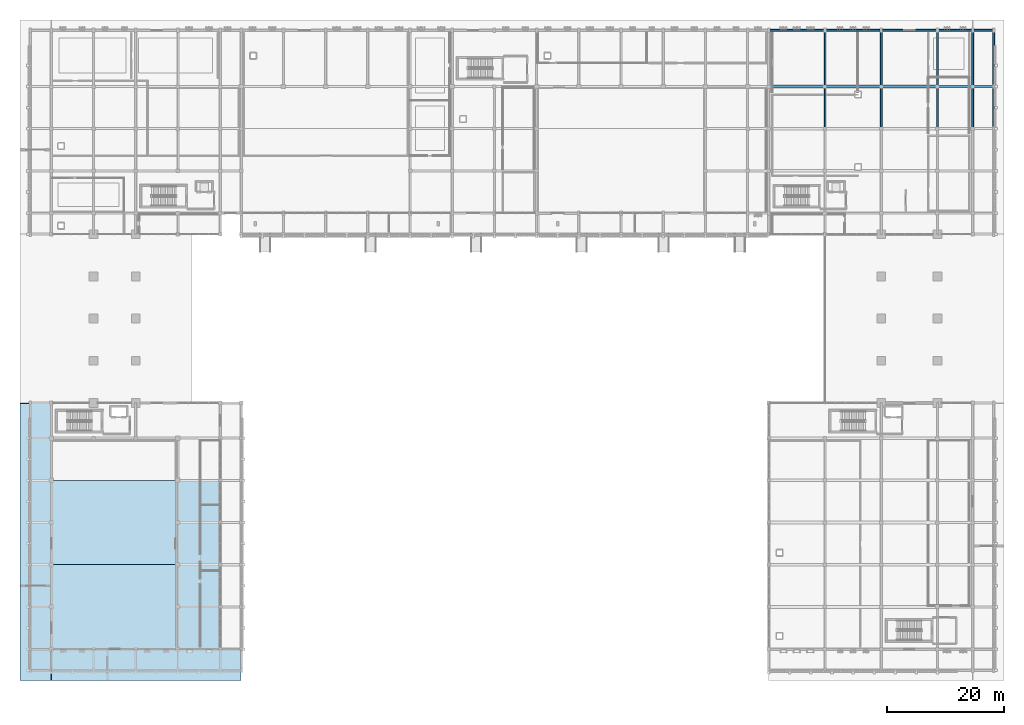
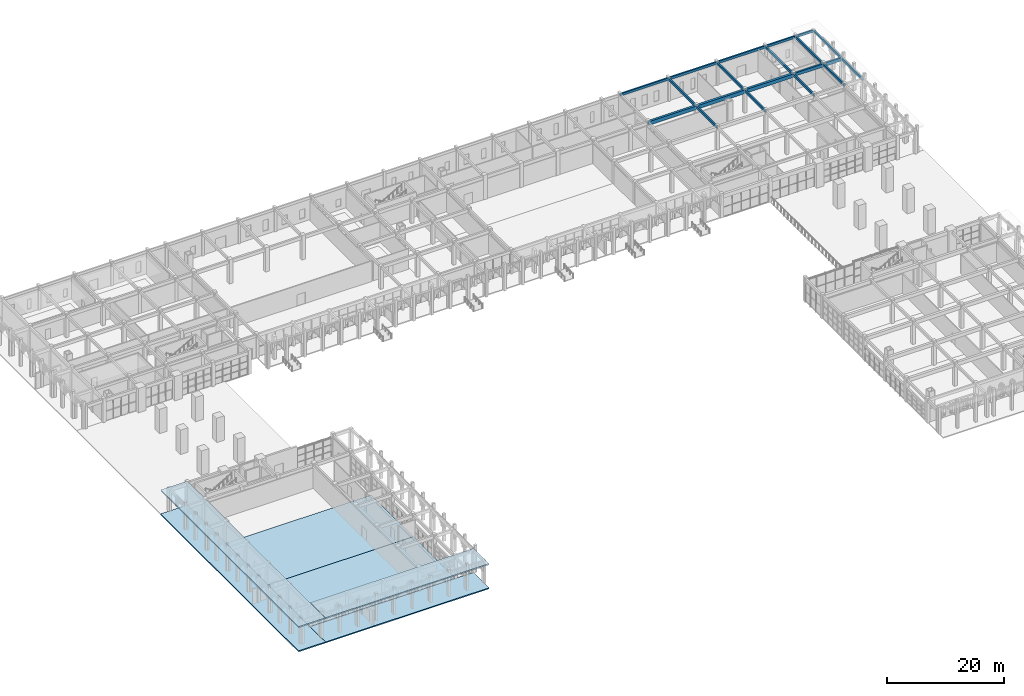
# One storey, part 25 of 72: 20 beams, 6 slabs.
"""IFC4 building model written with IfcOpenShell, lengths in metres."""

from ifc_helpers import new_model, si_unit, direction, frame, origin, origin_2d, place, context, subcontext, project, spatial, polyline, rectangle, outline, extrude, material, layer, layer_set, material_profile, profile_set, type_object, element, save


model = new_model("IFC4")

# Units and contexts
model_context = context("Model", 3, precision=1e-05, world=origin(), true_north=direction((0.0, 1.0)))
body_context = subcontext(model_context, "Body", "Model", "MODEL_VIEW")
ifc_project = project(units=[si_unit("LENGTHUNIT", "METRE"), si_unit("AREAUNIT", "SQUARE_METRE"), si_unit("VOLUMEUNIT", "CUBIC_METRE"), si_unit("PLANEANGLEUNIT", "RADIAN"), si_unit("MASSUNIT", "GRAM", prefix="KILO")], contexts=[model_context])

# Site, building, storey
site_placement = place(None, origin())
site = spatial("IfcSite", under=ifc_project, at=site_placement, CompositionType="ELEMENT")
building_placement = place(site_placement, origin())
building = spatial("IfcBuilding", under=site, at=building_placement, Name="Nzembalo Square Collegiate School", CompositionType="ELEMENT")
storey_placement = place(building_placement, origin())
storey = spatial("IfcBuildingStorey", under=building, at=storey_placement, Name="L00", CompositionType="ELEMENT", Elevation=0.0)

# Beams
ifc_material_1 = material(Name="Concrete C35/45", Category="concrete")
ifc_material_profile_1 = material_profile(ifc_material_1, rectangle(XDim=0.35009765625, YDim=0.64990234375, at=origin_2d()), Name="RC 350x650")
ifc_profile_set_1 = profile_set([ifc_material_profile_1], Name="Concrete C35/45")
beam_type_1 = type_object("IfcBeamType", Name="B01", PredefinedType="BEAM", material=ifc_profile_set_1)
beam_1_placement = place(storey_placement, frame((159.60009765625, 104.39990234375, 4.465087890625), z_axis=(1.0, 0.0, 0.0), x_axis=(0.0, 1.0, 0.0)))
element("IfcBeam", 1, at=beam_1_placement, inside=storey, type_object=beam_type_1, Name="Beam B01 L00", PredefinedType="BEAM", context=body_context, shape_type="SweptSolid", body=[
    extrude(rectangle(XDim=0.35009765625, YDim=0.64990234375, at=origin_2d()), origin(), (0.0, 0.0, 1.0), 6.0),
])
beam_2_placement = place(storey_placement, frame((165.60009765625, 104.39990234375, 4.465087890625), z_axis=(1.0, 0.0, 0.0), x_axis=(0.0, 1.0, 0.0)))
element("IfcBeam", 2, at=beam_2_placement, inside=storey, type_object=beam_type_1, Name="Beam B01 L00", PredefinedType="BEAM", context=body_context, shape_type="SweptSolid", body=[
    extrude(rectangle(XDim=0.35009765625, YDim=0.64990234375, at=origin_2d()), origin(), (0.0, 0.0, 1.0), 3.599853515625),
])
ifc_material_2 = material(Name="Concrete C35/45", Category="concrete")
ifc_material_profile_2 = material_profile(ifc_material_2, rectangle(XDim=0.300048828125, YDim=0.5, at=origin_2d()), Name="RC 300x500")
ifc_profile_set_2 = profile_set([ifc_material_profile_2], Name="Concrete C35/45")
beam_type_2 = type_object("IfcBeamType", Name="B02", PredefinedType="BEAM", material=ifc_profile_set_2)
beam_3_placement = place(storey_placement, frame((140.39990234375, 97.199951171875, 4.5400390625), z_axis=(0.0, 1.0, 0.0), x_axis=(-1.0, 0.0, 0.0)))
element("IfcBeam", 3, at=beam_3_placement, inside=storey, type_object=beam_type_2, Name="Beam B02 L00", PredefinedType="BEAM", context=body_context, shape_type="SweptSolid", body=[
    extrude(rectangle(XDim=0.300048828125, YDim=0.5, at=origin_2d()), origin(), (0.0, 0.0, 1.0), 7.199951171875),
])
beam_4_placement = place(storey_placement, frame((140.39990234375, 104.39990234375, 4.5400390625), z_axis=(0.0, 1.0, 0.0), x_axis=(-1.0, 0.0, 0.0)))
element("IfcBeam", 4, at=beam_4_placement, inside=storey, type_object=beam_type_2, Name="Beam B02 L00", PredefinedType="BEAM", context=body_context, shape_type="SweptSolid", body=[
    extrude(rectangle(XDim=0.300048828125, YDim=0.5, at=origin_2d()), origin(), (0.0, 0.0, 1.0), 9.60009765625),
])
beam_5_placement = place(storey_placement, frame((150.0, 97.199951171875, 4.5400390625), z_axis=(0.0, 1.0, 0.0), x_axis=(-1.0, 0.0, 0.0)))
element("IfcBeam", 5, at=beam_5_placement, inside=storey, type_object=beam_type_2, Name="Beam B02 L00", PredefinedType="BEAM", context=body_context, shape_type="SweptSolid", body=[
    extrude(rectangle(XDim=0.300048828125, YDim=0.5, at=origin_2d()), origin(), (0.0, 0.0, 1.0), 7.199951171875),
])
beam_6_placement = place(storey_placement, frame((150.0, 104.39990234375, 4.5400390625), z_axis=(0.0, 1.0, 0.0), x_axis=(-1.0, 0.0, 0.0)))
element("IfcBeam", 6, at=beam_6_placement, inside=storey, type_object=beam_type_2, Name="Beam B02 L00", PredefinedType="BEAM", context=body_context, shape_type="SweptSolid", body=[
    extrude(rectangle(XDim=0.300048828125, YDim=0.5, at=origin_2d()), origin(), (0.0, 0.0, 1.0), 9.60009765625),
])
beam_7_placement = place(storey_placement, frame((159.60009765625, 97.199951171875, 4.5400390625), z_axis=(0.0, 1.0, 0.0), x_axis=(-1.0, 0.0, 0.0)))
element("IfcBeam", 7, at=beam_7_placement, inside=storey, type_object=beam_type_2, Name="Beam B02 L00", PredefinedType="BEAM", context=body_context, shape_type="SweptSolid", body=[
    extrude(rectangle(XDim=0.300048828125, YDim=0.5, at=origin_2d()), origin(), (0.0, 0.0, 1.0), 7.199951171875),
])
beam_8_placement = place(storey_placement, frame((159.60009765625, 104.39990234375, 4.5400390625), z_axis=(0.0, 1.0, 0.0), x_axis=(-1.0, 0.0, 0.0)))
element("IfcBeam", 8, at=beam_8_placement, inside=storey, type_object=beam_type_2, Name="Beam B02 L00", PredefinedType="BEAM", context=body_context, shape_type="SweptSolid", body=[
    extrude(rectangle(XDim=0.300048828125, YDim=0.5, at=origin_2d()), origin(), (0.0, 0.0, 1.0), 9.60009765625),
])
ifc_material_3 = material(Name="Concrete C35/45", Category="concrete")
ifc_material_profile_3 = material_profile(ifc_material_3, rectangle(XDim=0.300048828125, YDim=0.5, at=origin_2d()), Name="RC 300x500")
ifc_profile_set_3 = profile_set([ifc_material_profile_3], Name="Concrete C35/45")
beam_type_3 = type_object("IfcBeamType", Name="SP01", PredefinedType="SPANDREL", material=ifc_profile_set_3)
beam_9_placement = place(storey_placement, frame((130.800048828125, 114.0, 4.5400390625), z_axis=(1.0, 0.0, 0.0), x_axis=(0.0, 1.0, 0.0)))
element("IfcBeam", 9, at=beam_9_placement, inside=storey, type_object=beam_type_3, Name="Beam SP01 L00", PredefinedType="SPANDREL", context=body_context, shape_type="SweptSolid", body=[
    extrude(rectangle(XDim=0.300048828125, YDim=0.5, at=origin_2d()), origin(), (0.0, 0.0, 1.0), 9.599853515625),
])
for number, where, z_axis, x_axis, name in (
    (10, (140.39990234375, 114.0, 4.5400390625), (1.0, 0.0, 0.0), (0.0, 1.0, 0.0), "Beam SP01 L00"),
    (11, (150.0, 114.0, 4.5400390625), (1.0, 0.0, 0.0), (0.0, 1.0, 0.0), "Beam SP01 L00"),
):
    element("IfcBeam", number, at=place(storey_placement, frame(where, z_axis=z_axis, x_axis=x_axis)), inside=storey, type_object=beam_type_3, Name=name, PredefinedType="SPANDREL", context=body_context, shape_type="SweptSolid", body=[
        extrude(rectangle(XDim=0.300048828125, YDim=0.5, at=origin_2d()), origin(), (0.0, 0.0, 1.0), 9.60009765625),
    ])
beam_10_placement = place(storey_placement, frame((159.60009765625, 114.0, 4.5400390625), z_axis=(1.0, 0.0, 0.0), x_axis=(0.0, 1.0, 0.0)))
element("IfcBeam", 12, at=beam_10_placement, inside=storey, type_object=beam_type_3, Name="Beam SP01 L00", PredefinedType="SPANDREL", context=body_context, shape_type="SweptSolid", body=[
    extrude(rectangle(XDim=0.300048828125, YDim=0.5, at=origin_2d()), origin(), (0.0, 0.0, 1.0), 6.0),
])
beam_11_placement = place(storey_placement, frame((165.60009765625, 114.0, 4.5400390625), z_axis=(1.0, 0.0, 0.0), x_axis=(0.0, 1.0, 0.0)))
element("IfcBeam", 13, at=beam_11_placement, inside=storey, type_object=beam_type_3, Name="Beam SP01 L00", PredefinedType="SPANDREL", context=body_context, shape_type="SweptSolid", body=[
    extrude(rectangle(XDim=0.300048828125, YDim=0.5, at=origin_2d()), origin(), (0.0, 0.0, 1.0), 3.599853515625),
])
beam_12_placement = place(storey_placement, frame((165.60009765625, 97.199951171875, 4.5400390625), z_axis=(0.0, 1.0, 0.0), x_axis=(-1.0, 0.0, 0.0)))
element("IfcBeam", 14, at=beam_12_placement, inside=storey, type_object=beam_type_3, Name="Beam SP01 L00", PredefinedType="SPANDREL", context=body_context, shape_type="SweptSolid", body=[
    extrude(rectangle(XDim=0.300048828125, YDim=0.5, at=origin_2d()), origin(), (0.0, 0.0, 1.0), 7.199951171875),
])
beam_13_placement = place(storey_placement, frame((165.60009765625, 104.39990234375, 4.5400390625), z_axis=(0.0, 1.0, 0.0), x_axis=(-1.0, 0.0, 0.0)))
element("IfcBeam", 15, at=beam_13_placement, inside=storey, type_object=beam_type_3, Name="Beam SP01 L00", PredefinedType="SPANDREL", context=body_context, shape_type="SweptSolid", body=[
    extrude(rectangle(XDim=0.300048828125, YDim=0.5, at=origin_2d()), origin(), (0.0, 0.0, 1.0), 9.60009765625),
])
beam_14_placement = place(storey_placement, frame((169.199951171875, 97.199951171875, 4.5400390625), z_axis=(0.0, 1.0, 0.0), x_axis=(-1.0, 0.0, 0.0)))
element("IfcBeam", 16, at=beam_14_placement, inside=storey, type_object=beam_type_3, Name="Beam SP01 L00", PredefinedType="SPANDREL", context=body_context, shape_type="SweptSolid", body=[
    extrude(rectangle(XDim=0.300048828125, YDim=0.5, at=origin_2d()), origin(), (0.0, 0.0, 1.0), 7.199951171875),
])
beam_15_placement = place(storey_placement, frame((169.199951171875, 104.39990234375, 4.5400390625), z_axis=(0.0, 1.0, 0.0), x_axis=(-1.0, 0.0, 0.0)))
element("IfcBeam", 17, at=beam_15_placement, inside=storey, type_object=beam_type_3, Name="Beam SP01 L00", PredefinedType="SPANDREL", context=body_context, shape_type="SweptSolid", body=[
    extrude(rectangle(XDim=0.300048828125, YDim=0.5, at=origin_2d()), origin(), (0.0, 0.0, 1.0), 9.60009765625),
])
ifc_material_4 = material(Name="Concrete C35/45", Category="concrete")
ifc_material_profile_4 = material_profile(ifc_material_4, rectangle(XDim=0.449951171875, YDim=0.75, at=origin_2d()), Name="RC 450x750")
ifc_profile_set_4 = profile_set([ifc_material_profile_4], Name="Concrete C35/45")
beam_type_4 = type_object("IfcBeamType", Name="TG01", PredefinedType="BEAM", material=ifc_profile_set_4)
beam_16_placement = place(storey_placement, frame((130.800048828125, 104.39990234375, 4.4150390625), z_axis=(1.0, 0.0, 0.0), x_axis=(0.0, 1.0, 0.0)))
element("IfcBeam", 18, at=beam_16_placement, inside=storey, type_object=beam_type_4, Name="Beam TG01 L00", PredefinedType="BEAM", context=body_context, shape_type="SweptSolid", body=[
    extrude(rectangle(XDim=0.449951171875, YDim=0.75, at=origin_2d()), origin(), (0.0, 0.0, 1.0), 9.599853515625),
])
for number, where, z_axis, x_axis, name in (
    (19, (140.39990234375, 104.39990234375, 4.4150390625), (1.0, 0.0, 0.0), (0.0, 1.0, 0.0), "Beam TG01 L00"),
    (20, (150.0, 104.39990234375, 4.4150390625), (1.0, 0.0, 0.0), (0.0, 1.0, 0.0), "Beam TG01 L00"),
):
    element("IfcBeam", number, at=place(storey_placement, frame(where, z_axis=z_axis, x_axis=x_axis)), inside=storey, type_object=beam_type_4, Name=name, PredefinedType="BEAM", context=body_context, shape_type="SweptSolid", body=[
        extrude(rectangle(XDim=0.449951171875, YDim=0.75, at=origin_2d()), origin(), (0.0, 0.0, 1.0), 9.60009765625),
    ])

# Slabs
ifc_material_5 = material(Name="CLT CL24", Category="wood")
ifc_layer_1 = layer(ifc_material_5, 0.27001953125, Name="CLT CL24")
ifc_layer_set_1 = layer_set([ifc_layer_1], Name="CLT CL24")
slab_type_1 = type_object("IfcSlabType", Name="RS-F27", PredefinedType="ROOF", material=ifc_layer_set_1)
slab_1_placement = place(storey_placement, frame((0.0, 0.0, 4.800048828125)))
element("IfcSlab", 21, at=slab_1_placement, inside=storey, type_object=slab_type_1, Name="Step roof slab RS-ARC-WS", PredefinedType="ROOF", context=body_context, shape_type="SweptSolid", body=[
    extrude(outline(polyline([(3.06005859375, 3.06005859375), (8.340087890625, 3.06005859375), (8.340087890625, 50.340087890625), (3.06005859375, 50.340087890625), (3.06005859375, 3.06005859375)])), origin(), (0.0, 0.0, 1.0), 0.27001953125),
])
slab_2_placement = place(storey_placement, frame((0.0, 0.0, 4.800048828125)))
element("IfcSlab", 22, at=slab_2_placement, inside=storey, type_object=slab_type_1, Name="Step roof slab RS-ARC-SW", PredefinedType="ROOF", context=body_context, shape_type="SweptSolid", body=[
    extrude(outline(polyline([(8.39990234375, 3.06005859375), (40.800048828125, 3.06005859375), (40.800048828125, 8.340087890625), (8.39990234375, 8.340087890625), (8.39990234375, 3.06005859375)])), origin(), (0.0, 0.0, 1.0), 0.27001953125),
])
ifc_material_6 = material(Name="Concrete C35/45", Category="concrete")
ifc_layer_2 = layer(ifc_material_6, 0.219970703125, Name="Concrete C35/45")
ifc_layer_set_2 = layer_set([ifc_layer_2], Name="Concrete C35/45")
slab_type_2 = type_object("IfcSlabType", Name="SL-00E", PredefinedType="FLOOR", material=ifc_layer_set_2)
slab_3_placement = place(storey_placement, frame((0.0, 0.0, -0.219970703125)))
element("IfcSlab", 23, at=slab_3_placement, inside=storey, type_object=slab_type_2, Name="Slab SL-L00-24", PredefinedType="FLOOR", context=body_context, shape_type="SweptSolid", body=[
    extrude(outline(polyline([(3.050048828125, 3.050048828125), (8.39990234375, 3.050048828125), (8.39990234375, 50.39990234375), (3.050048828125, 50.39990234375), (3.050048828125, 3.050048828125)])), origin(), (0.0, 0.0, 1.0), 0.219970703125),
])
slab_4_placement = place(storey_placement, frame((0.0, 0.0, -0.219970703125)))
element("IfcSlab", 24, at=slab_4_placement, inside=storey, type_object=slab_type_2, Name="Slab SL-L00-26", PredefinedType="FLOOR", context=body_context, shape_type="SweptSolid", body=[
    extrude(outline(polyline([(8.39990234375, 3.050048828125), (40.800048828125, 3.050048828125), (40.800048828125, 8.39990234375), (8.39990234375, 8.39990234375), (8.39990234375, 3.050048828125)])), origin(), (0.0, 0.0, 1.0), 0.219970703125),
])
ifc_material_7 = material(Name="Concrete C35/45", Category="concrete")
ifc_layer_3 = layer(ifc_material_7, 0.280029296875, Name="Concrete C35/45")
ifc_layer_set_3 = layer_set([ifc_layer_3], Name="Concrete C35/45")
slab_type_3 = type_object("IfcSlabType", Name="SL-00", PredefinedType="FLOOR", material=ifc_layer_set_3)
slab_5_placement = place(storey_placement, frame((0.0, 0.0, -0.280029296875)))
element("IfcSlab", 25, at=slab_5_placement, inside=storey, type_object=slab_type_3, Name="Slab SL-L00-06", PredefinedType="FLOOR", context=body_context, shape_type="SweptSolid", body=[
    extrude(outline(polyline([(8.39990234375, 8.39990234375), (37.199951171875, 8.39990234375), (37.199951171875, 22.800048828125), (8.39990234375, 22.800048828125), (8.39990234375, 8.39990234375)])), origin(), (0.0, 0.0, 1.0), 0.280029296875),
])
slab_6_placement = place(storey_placement, frame((0.0, 0.0, -0.280029296875)))
element("IfcSlab", 26, at=slab_6_placement, inside=storey, type_object=slab_type_3, Name="Slab SL-L00-07", PredefinedType="FLOOR", context=body_context, shape_type="SweptSolid", body=[
    extrude(outline(polyline([(8.39990234375, 22.800048828125), (37.199951171875, 22.800048828125), (37.199951171875, 37.199951171875), (8.39990234375, 37.199951171875), (8.39990234375, 22.800048828125)])), origin(), (0.0, 0.0, 1.0), 0.280029296875),
])

save(model, "model.ifc")
